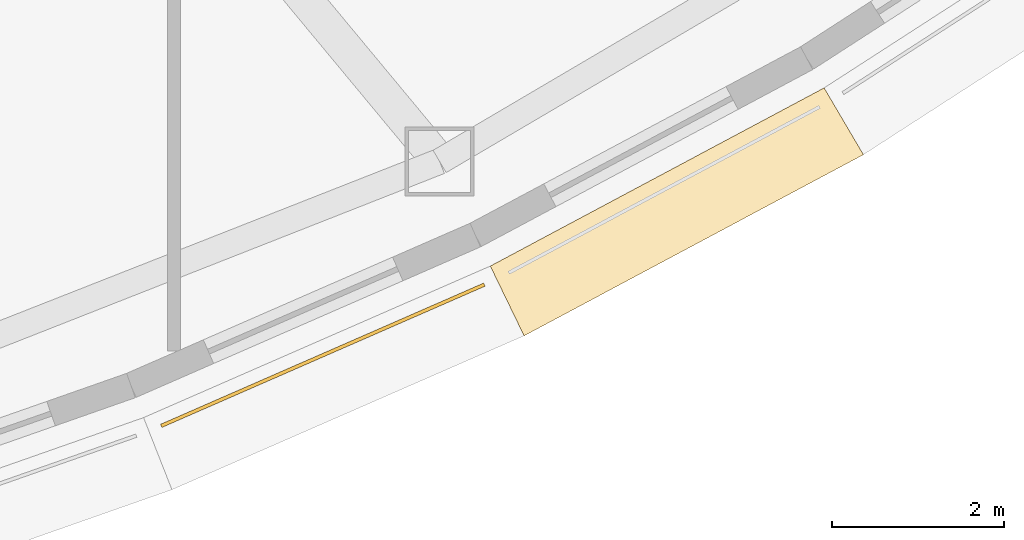
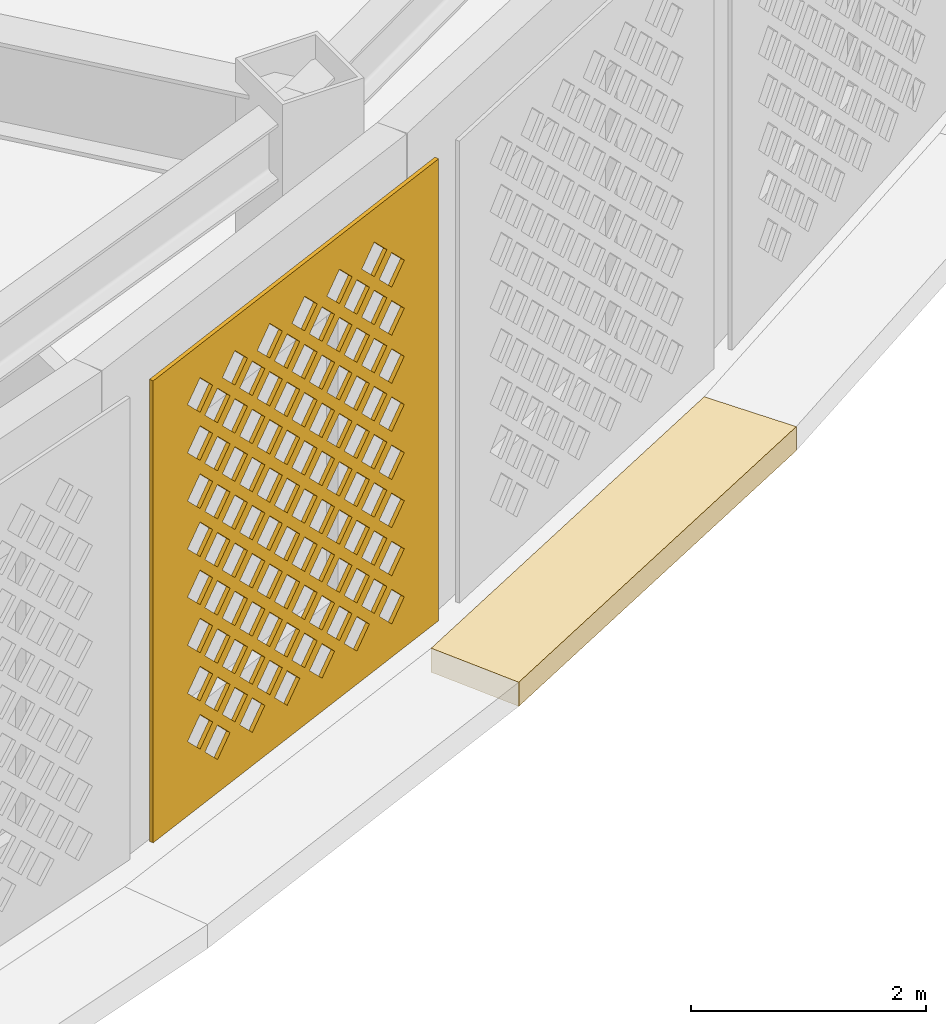
# One storey, part 58 of 69: 2 coverings.
"""IFC4 building model written with IfcOpenShell, lengths in metres."""

import ifcopenshell
import ifcopenshell.guid

model = None  # the IFC model being written
_history = None  # IfcOwnerHistory: only IFC2X3 demands one
_inside = {}  # id of a spatial element -> (the spatial element, [elements in it])
_under = {}  # id of a project, library or spatial element -> (it, [spatial elements below it])
_declared = {}  # id of a project -> (the project, [libraries it declares])
_typed = {}  # id of a type object -> (the type object, [elements of that type])
_made_of = {}  # id of a material, layer set ... -> (it, [elements and type objects made of it])


def new_model(schema):
    """Start an empty IFC model of exactly this schema.

    Asked for "IFC4X3", IfcOpenShell would pick the latest addendum, in which some entities
    have other attributes; the version numbers below select the first issue.
    IFC2X3 requires an IfcOwnerHistory on every rooted entity: one is made here for all.
    """
    global model, _history
    if schema == "IFC4X3":
        model = ifcopenshell.file(schema_version=(4, 3, 0, 0))
    else:
        model = ifcopenshell.file(schema=schema)
    _inside.clear()
    _under.clear()
    _declared.clear()
    _typed.clear()
    _made_of.clear()
    _history = None
    if model.schema == "IFC2X3":
        org = make("IfcOrganization", Name="unknown")
        user = make(
            "IfcPersonAndOrganization",
            ThePerson=make("IfcPerson", FamilyName="unknown"),
            TheOrganization=org,
        )
        app = make(
            "IfcApplication",
            ApplicationDeveloper=org,
            Version="unknown",
            ApplicationFullName="unknown",
            ApplicationIdentifier="unknown",
        )
        _history = make(
            "IfcOwnerHistory",
            OwningUser=user,
            OwningApplication=app,
            ChangeAction="ADDED",
            CreationDate=0,
        )
    return model


def make(cls, **values):
    """One entity of the class cls with the attributes given. An attribute that is None is left unset."""
    return model.create_entity(
        cls, **{name: value for name, value in values.items() if value is not None}
    )


def rooted(cls, **values):
    """An entity with a GlobalId (a new one), such as an element, a storey or a relation."""
    return make(cls, GlobalId=ifcopenshell.guid.new(), OwnerHistory=_history, **values)


def si_unit(unit_type, name, prefix=None):
    """IfcSIUnit, for example si_unit("LENGTHUNIT", "METRE", prefix="MILLI")."""
    return make("IfcSIUnit", UnitType=unit_type, Prefix=prefix, Name=name)


def assignment(units):
    """IfcUnitAssignment: the units of a project."""
    return None if units is None else make("IfcUnitAssignment", Units=units)


def point(xyz):
    """IfcCartesianPoint."""
    return None if xyz is None else make("IfcCartesianPoint", Coordinates=xyz)


def direction(xyz):
    """IfcDirection."""
    return None if xyz is None else make("IfcDirection", DirectionRatios=xyz)


def frame(location, z_axis=None, x_axis=None):
    """IfcAxis2Placement3D, a coordinate frame: its origin and axes. An axis left out is left unset."""
    return make(
        "IfcAxis2Placement3D",
        Location=point(location),
        Axis=direction(z_axis),
        RefDirection=direction(x_axis),
    )


def origin():
    """The frame at (0, 0, 0) with its axes left unset."""
    return frame((0.0, 0.0, 0.0))


def place(relative_to, where):
    """IfcLocalPlacement: puts the frame where relative to a parent placement (None: the world)."""
    return make(
        "IfcLocalPlacement", PlacementRelTo=relative_to, RelativePlacement=where
    )


def context(
    kind, dimensions, precision=None, world=None, true_north=None, identifier=None
):
    """IfcGeometricRepresentationContext, for example the 3D "Model" context."""
    return make(
        "IfcGeometricRepresentationContext",
        ContextIdentifier=identifier,
        ContextType=kind,
        CoordinateSpaceDimension=dimensions,
        Precision=precision,
        WorldCoordinateSystem=world,
        TrueNorth=true_north,
    )


def subcontext(parent, identifier, kind, view, scale=None):
    """IfcGeometricRepresentationSubContext, for example "Body" below "Model"."""
    return make(
        "IfcGeometricRepresentationSubContext",
        ContextIdentifier=identifier,
        ContextType=kind,
        ParentContext=parent,
        TargetScale=scale,
        TargetView=view,
    )


def project(units=None, contexts=None):
    """IfcProject with its units and contexts."""
    return rooted(
        "IfcProject",
        Name="project",
        RepresentationContexts=contexts,
        UnitsInContext=assignment(units),
    )


def spatial(cls, under=None, at=None, **own):
    """A site, building, storey or space (cls), placed at a placement, below another one or the project."""
    s = rooted(cls, ObjectPlacement=at, **own)
    if under is not None:
        _under.setdefault(under.id(), (under, []))[1].append(s)
    return s


def polyline(points):
    """IfcPolyline through the points."""
    return make("IfcPolyline", Points=[point(p) for p in points])


def outline(outer, holes=None, kind="AREA"):
    """IfcArbitraryClosedProfileDef: a profile drawn as a closed curve; with holes, ...WithVoids."""
    if holes is None:
        return make("IfcArbitraryClosedProfileDef", ProfileType=kind, OuterCurve=outer)
    return make(
        "IfcArbitraryProfileDefWithVoids",
        ProfileType=kind,
        OuterCurve=outer,
        InnerCurves=holes,
    )


def extrude(swept, where, along, depth):
    """IfcExtrudedAreaSolid: the profile swept, set in the frame where, extruded along a direction by depth."""
    return make(
        "IfcExtrudedAreaSolid",
        SweptArea=swept,
        Position=where,
        ExtrudedDirection=direction(along),
        Depth=depth,
    )


def shape(context_of_items, identifier, shape_type, items):
    """IfcShapeRepresentation: the items that make up one representation, for example the "Body"."""
    return make(
        "IfcShapeRepresentation",
        ContextOfItems=context_of_items,
        RepresentationIdentifier=identifier,
        RepresentationType=shape_type,
        Items=items,
    )


def material(Name=None, Category=None):
    """IfcMaterial."""
    return make("IfcMaterial", Name=Name, Category=Category)


def layer(
    of_material, thickness, ventilated=None, Name=None, Category=None, Priority=None
):
    """IfcMaterialLayer: one layer of a wall or slab, of a material (None: an air gap)."""
    return make(
        "IfcMaterialLayer",
        Material=of_material,
        LayerThickness=thickness,
        IsVentilated=ventilated,
        Name=Name,
        Category=Category,
        Priority=Priority,
    )


def layer_set(layers, Name=None):
    """IfcMaterialLayerSet."""
    return make("IfcMaterialLayerSet", MaterialLayers=layers, LayerSetName=Name)


def made_of(thing, what):
    """Note that an element or type object is made of a material, layer set ...; save() writes the relation."""
    if what is not None:
        _made_of.setdefault(what.id(), (what, []))[1].append(thing)
    return thing


def type_object(cls, material=None, **own):
    """A type object (cls), such as IfcWallType, which elements share."""
    return made_of(rooted(cls, **own), material)


def element(
    cls,
    number,
    at=None,
    inside=None,
    cuts=None,
    type_object=None,
    material=None,
    context=None,
    identifier="Body",
    shape_type=None,
    held_by="IfcProductDefinitionShape",
    body=None,
    shapes=None,
    **own,
):
    """One element of the class cls, such as IfcWall. Its Tag is "e" and its number.

    at: its placement. inside: the storey or other place that contains it. cuts: it is an
    opening in that element (IfcRelVoidsElement). A single representation is given by context,
    identifier, shape_type and body (its items); several are given by shapes. held_by: the class
    of the entity that holds the representations. save() writes the other relations.
    """
    e = rooted(cls, Tag="e%d" % number, ObjectPlacement=at, **own)
    if body is not None:
        shapes = [shape(context, identifier, shape_type, body)]
    if shapes is not None:
        e.Representation = make(held_by, Representations=shapes)
    if inside is not None:
        _inside.setdefault(inside.id(), (inside, []))[1].append(e)
    if cuts is not None:
        rooted(
            "IfcRelVoidsElement", RelatingBuildingElement=cuts, RelatedOpeningElement=e
        )
    if type_object is not None:
        _typed.setdefault(type_object.id(), (type_object, []))[1].append(e)
    return made_of(e, material)


def aggregate(whole, parts):
    """IfcRelAggregates: a whole, such as a stair, and the parts it consists of."""
    return rooted("IfcRelAggregates", RelatingObject=whole, RelatedObjects=parts)


def save(model, path):
    """Write the relations noted so far, then the file.

    IfcRelAggregates (storeys below a building ...), IfcRelContainedInSpatialStructure (elements
    in a storey), IfcRelDefinesByType, IfcRelAssociatesMaterial and IfcRelDeclares: one each for
    every whole, place, type object, material and project.
    """
    for whole, parts in _under.values():
        aggregate(whole, parts)
    for where, things in _inside.values():
        rooted(
            "IfcRelContainedInSpatialStructure",
            RelatedElements=things,
            RelatingStructure=where,
        )
    for kind, things in _typed.values():
        rooted("IfcRelDefinesByType", RelatedObjects=things, RelatingType=kind)
    for what, things in _made_of.values():
        rooted("IfcRelAssociatesMaterial", RelatedObjects=things, RelatingMaterial=what)
    for by, libraries in _declared.values():
        rooted("IfcRelDeclares", RelatingContext=by, RelatedDefinitions=libraries)
    model.write(path)


model = new_model("IFC4")

# Units and contexts
model_context = context("Model", 3, precision=1e-05, world=origin(), true_north=direction((0.0, 1.0)))
body_context = subcontext(model_context, "Body", "Model", "MODEL_VIEW")
ifc_project = project(units=[si_unit("LENGTHUNIT", "METRE"), si_unit("AREAUNIT", "SQUARE_METRE"), si_unit("VOLUMEUNIT", "CUBIC_METRE"), si_unit("PLANEANGLEUNIT", "RADIAN"), si_unit("MASSUNIT", "GRAM", prefix="KILO")], contexts=[model_context])

# Site, building, storey
site_placement = place(None, origin())
site = spatial("IfcSite", under=ifc_project, at=site_placement, CompositionType="ELEMENT")
building_placement = place(site_placement, origin())
building = spatial("IfcBuilding", under=site, at=building_placement, Name="Noorbagh Ring Tower", CompositionType="ELEMENT")
storey_placement = place(building_placement, frame((0.0, 0.0, 19.5)))
storey = spatial("IfcBuildingStorey", under=building, at=storey_placement, Name="L03", CompositionType="ELEMENT", Elevation=19.5)

# Coverings
ifc_material_1 = material(Name="Red sandstone eave", Category="masonry")
covering_type_1 = type_object("IfcCoveringType", Name="STY-CHHAJJA", PredefinedType="USERDEFINED", material=ifc_material_1)
covering_1_placement = place(storey_placement, frame((0.0, 0.0, -0.25)))
element("IfcCovering", 1, at=covering_1_placement, inside=storey, type_object=covering_type_1, Name="Chhajja eave", ObjectType="CHHAJJA", PredefinedType="USERDEFINED", context=body_context, shape_type="SweptSolid", body=[
    extrude(outline(polyline([(27.67578125, -33.864013671875), (31.5546875, -31.793701171875), (32.011474609375, -32.56982421875), (28.068603515625, -34.674560546875), (27.67578125, -33.864013671875)])), origin(), (0.0, 0.0, 1.0), 0.25),
])
ifc_material_2 = material(Name="Red sandstone jali", Category="masonry")
ifc_layer = layer(ifc_material_2, 0.0400390625)
ifc_layer_set = layer_set([ifc_layer], Name="Red sandstone jali")
covering_type_2 = type_object("IfcCoveringType", Name="STY-JALI", PredefinedType="USERDEFINED", material=ifc_layer_set)
covering_2_placement = place(storey_placement, frame((23.860595703125, -35.73876953125, 0.449951171875), z_axis=(0.400468668207, -0.916310452731, 0.0), x_axis=(0.916310452731, 0.400468668207, 0.0)))
element("IfcCovering", 2, at=covering_2_placement, inside=storey, type_object=covering_type_2, Name="Jali screen", ObjectType="SCREEN", PredefinedType="USERDEFINED", context=body_context, shape_type="SweptSolid", body=[
    extrude(outline(polyline([(0.0, 0.0), (4.0966796875, 0.0), (4.0966796875, 4.800048828125), (0.0, 4.800048828125), (0.0, 0.0)]), holes=[polyline([(0.743408203125, 0.52490234375), (0.92333984375, 0.344970703125), (1.103515625, 0.52490234375), (0.92333984375, 0.705078125), (0.743408203125, 0.52490234375)]), polyline([(1.243408203125, 0.52490234375), (1.42333984375, 0.344970703125), (1.603515625, 0.52490234375), (1.42333984375, 0.705078125), (1.243408203125, 0.52490234375)]), polyline([(1.743408203125, 0.52490234375), (1.92333984375, 0.344970703125), (2.103515625, 0.52490234375), (1.92333984375, 0.705078125), (1.743408203125, 0.52490234375)]), polyline([(2.243408203125, 0.52490234375), (2.42333984375, 0.344970703125), (2.603515625, 0.52490234375), (2.42333984375, 0.705078125), (2.243408203125, 0.52490234375)]), polyline([(2.743408203125, 0.52490234375), (2.92333984375, 0.344970703125), (3.103515625, 0.52490234375), (2.92333984375, 0.705078125), (2.743408203125, 0.52490234375)]), polyline([(3.243408203125, 0.52490234375), (3.42333984375, 0.344970703125), (3.603515625, 0.52490234375), (3.42333984375, 0.705078125), (3.243408203125, 0.52490234375)]), polyline([(0.493408203125, 0.77490234375), (0.67333984375, 0.594970703125), (0.853515625, 0.77490234375), (0.67333984375, 0.955078125), (0.493408203125, 0.77490234375)]), polyline([(0.993408203125, 0.77490234375), (1.17333984375, 0.594970703125), (1.353515625, 0.77490234375), (1.17333984375, 0.955078125), (0.993408203125, 0.77490234375)]), polyline([(1.493408203125, 0.77490234375), (1.67333984375, 0.594970703125), (1.853515625, 0.77490234375), (1.67333984375, 0.955078125), (1.493408203125, 0.77490234375)]), polyline([(1.993408203125, 0.77490234375), (2.17333984375, 0.594970703125), (2.353515625, 0.77490234375), (2.17333984375, 0.955078125), (1.993408203125, 0.77490234375)]), polyline([(2.493408203125, 0.77490234375), (2.67333984375, 0.594970703125), (2.853515625, 0.77490234375), (2.67333984375, 0.955078125), (2.493408203125, 0.77490234375)]), polyline([(2.993408203125, 0.77490234375), (3.17333984375, 0.594970703125), (3.353515625, 0.77490234375), (3.17333984375, 0.955078125), (2.993408203125, 0.77490234375)]), polyline([(0.743408203125, 1.02490234375), (0.92333984375, 0.844970703125), (1.103515625, 1.02490234375), (0.92333984375, 1.205078125), (0.743408203125, 1.02490234375)]), polyline([(1.243408203125, 1.02490234375), (1.42333984375, 0.844970703125), (1.603515625, 1.02490234375), (1.42333984375, 1.205078125), (1.243408203125, 1.02490234375)]), polyline([(1.743408203125, 1.02490234375), (1.92333984375, 0.844970703125), (2.103515625, 1.02490234375), (1.92333984375, 1.205078125), (1.743408203125, 1.02490234375)]), polyline([(2.243408203125, 1.02490234375), (2.42333984375, 0.844970703125), (2.603515625, 1.02490234375), (2.42333984375, 1.205078125), (2.243408203125, 1.02490234375)]), polyline([(2.743408203125, 1.02490234375), (2.92333984375, 0.844970703125), (3.103515625, 1.02490234375), (2.92333984375, 1.205078125), (2.743408203125, 1.02490234375)]), polyline([(3.243408203125, 1.02490234375), (3.42333984375, 0.844970703125), (3.603515625, 1.02490234375), (3.42333984375, 1.205078125), (3.243408203125, 1.02490234375)]), polyline([(0.493408203125, 1.27490234375), (0.67333984375, 1.094970703125), (0.853515625, 1.27490234375), (0.67333984375, 1.455078125), (0.493408203125, 1.27490234375)]), polyline([(0.993408203125, 1.27490234375), (1.17333984375, 1.094970703125), (1.353515625, 1.27490234375), (1.17333984375, 1.455078125), (0.993408203125, 1.27490234375)]), polyline([(1.493408203125, 1.27490234375), (1.67333984375, 1.094970703125), (1.853515625, 1.27490234375), (1.67333984375, 1.455078125), (1.493408203125, 1.27490234375)]), polyline([(1.993408203125, 1.27490234375), (2.17333984375, 1.094970703125), (2.353515625, 1.27490234375), (2.17333984375, 1.455078125), (1.993408203125, 1.27490234375)]), polyline([(2.493408203125, 1.27490234375), (2.67333984375, 1.094970703125), (2.853515625, 1.27490234375), (2.67333984375, 1.455078125), (2.493408203125, 1.27490234375)]), polyline([(2.993408203125, 1.27490234375), (3.17333984375, 1.094970703125), (3.353515625, 1.27490234375), (3.17333984375, 1.455078125), (2.993408203125, 1.27490234375)]), polyline([(0.743408203125, 1.52490234375), (0.92333984375, 1.344970703125), (1.103515625, 1.52490234375), (0.92333984375, 1.705078125), (0.743408203125, 1.52490234375)]), polyline([(1.243408203125, 1.52490234375), (1.42333984375, 1.344970703125), (1.603515625, 1.52490234375), (1.42333984375, 1.705078125), (1.243408203125, 1.52490234375)]), polyline([(1.743408203125, 1.52490234375), (1.92333984375, 1.344970703125), (2.103515625, 1.52490234375), (1.92333984375, 1.705078125), (1.743408203125, 1.52490234375)]), polyline([(2.243408203125, 1.52490234375), (2.42333984375, 1.344970703125), (2.603515625, 1.52490234375), (2.42333984375, 1.705078125), (2.243408203125, 1.52490234375)]), polyline([(2.743408203125, 1.52490234375), (2.92333984375, 1.344970703125), (3.103515625, 1.52490234375), (2.92333984375, 1.705078125), (2.743408203125, 1.52490234375)]), polyline([(3.243408203125, 1.52490234375), (3.42333984375, 1.344970703125), (3.603515625, 1.52490234375), (3.42333984375, 1.705078125), (3.243408203125, 1.52490234375)]), polyline([(0.493408203125, 1.77490234375), (0.67333984375, 1.594970703125), (0.853515625, 1.77490234375), (0.67333984375, 1.955078125), (0.493408203125, 1.77490234375)]), polyline([(0.993408203125, 1.77490234375), (1.17333984375, 1.594970703125), (1.353515625, 1.77490234375), (1.17333984375, 1.955078125), (0.993408203125, 1.77490234375)]), polyline([(1.493408203125, 1.77490234375), (1.67333984375, 1.594970703125), (1.853515625, 1.77490234375), (1.67333984375, 1.955078125), (1.493408203125, 1.77490234375)]), polyline([(1.993408203125, 1.77490234375), (2.17333984375, 1.594970703125), (2.353515625, 1.77490234375), (2.17333984375, 1.955078125), (1.993408203125, 1.77490234375)]), polyline([(2.493408203125, 1.77490234375), (2.67333984375, 1.594970703125), (2.853515625, 1.77490234375), (2.67333984375, 1.955078125), (2.493408203125, 1.77490234375)]), polyline([(2.993408203125, 1.77490234375), (3.17333984375, 1.594970703125), (3.353515625, 1.77490234375), (3.17333984375, 1.955078125), (2.993408203125, 1.77490234375)]), polyline([(0.743408203125, 2.02490234375), (0.92333984375, 1.844970703125), (1.103515625, 2.02490234375), (0.92333984375, 2.205078125), (0.743408203125, 2.02490234375)]), polyline([(1.243408203125, 2.02490234375), (1.42333984375, 1.844970703125), (1.603515625, 2.02490234375), (1.42333984375, 2.205078125), (1.243408203125, 2.02490234375)]), polyline([(1.743408203125, 2.02490234375), (1.92333984375, 1.844970703125), (2.103515625, 2.02490234375), (1.92333984375, 2.205078125), (1.743408203125, 2.02490234375)]), polyline([(2.243408203125, 2.02490234375), (2.42333984375, 1.844970703125), (2.603515625, 2.02490234375), (2.42333984375, 2.205078125), (2.243408203125, 2.02490234375)]), polyline([(2.743408203125, 2.02490234375), (2.92333984375, 1.844970703125), (3.103515625, 2.02490234375), (2.92333984375, 2.205078125), (2.743408203125, 2.02490234375)]), polyline([(3.243408203125, 2.02490234375), (3.42333984375, 1.844970703125), (3.603515625, 2.02490234375), (3.42333984375, 2.205078125), (3.243408203125, 2.02490234375)]), polyline([(0.493408203125, 2.27490234375), (0.67333984375, 2.094970703125), (0.853515625, 2.27490234375), (0.67333984375, 2.455078125), (0.493408203125, 2.27490234375)]), polyline([(0.993408203125, 2.27490234375), (1.17333984375, 2.094970703125), (1.353515625, 2.27490234375), (1.17333984375, 2.455078125), (0.993408203125, 2.27490234375)]), polyline([(1.493408203125, 2.27490234375), (1.67333984375, 2.094970703125), (1.853515625, 2.27490234375), (1.67333984375, 2.455078125), (1.493408203125, 2.27490234375)]), polyline([(1.993408203125, 2.27490234375), (2.17333984375, 2.094970703125), (2.353515625, 2.27490234375), (2.17333984375, 2.455078125), (1.993408203125, 2.27490234375)]), polyline([(2.493408203125, 2.27490234375), (2.67333984375, 2.094970703125), (2.853515625, 2.27490234375), (2.67333984375, 2.455078125), (2.493408203125, 2.27490234375)]), polyline([(2.993408203125, 2.27490234375), (3.17333984375, 2.094970703125), (3.353515625, 2.27490234375), (3.17333984375, 2.455078125), (2.993408203125, 2.27490234375)]), polyline([(0.743408203125, 2.52490234375), (0.92333984375, 2.344970703125), (1.103515625, 2.52490234375), (0.92333984375, 2.705078125), (0.743408203125, 2.52490234375)]), polyline([(1.243408203125, 2.52490234375), (1.42333984375, 2.344970703125), (1.603515625, 2.52490234375), (1.42333984375, 2.705078125), (1.243408203125, 2.52490234375)]), polyline([(1.743408203125, 2.52490234375), (1.92333984375, 2.344970703125), (2.103515625, 2.52490234375), (1.92333984375, 2.705078125), (1.743408203125, 2.52490234375)]), polyline([(2.243408203125, 2.52490234375), (2.42333984375, 2.344970703125), (2.603515625, 2.52490234375), (2.42333984375, 2.705078125), (2.243408203125, 2.52490234375)]), polyline([(2.743408203125, 2.52490234375), (2.92333984375, 2.344970703125), (3.103515625, 2.52490234375), (2.92333984375, 2.705078125), (2.743408203125, 2.52490234375)]), polyline([(3.243408203125, 2.52490234375), (3.42333984375, 2.344970703125), (3.603515625, 2.52490234375), (3.42333984375, 2.705078125), (3.243408203125, 2.52490234375)]), polyline([(0.493408203125, 2.77490234375), (0.67333984375, 2.594970703125), (0.853515625, 2.77490234375), (0.67333984375, 2.955078125), (0.493408203125, 2.77490234375)]), polyline([(0.993408203125, 2.77490234375), (1.17333984375, 2.594970703125), (1.353515625, 2.77490234375), (1.17333984375, 2.955078125), (0.993408203125, 2.77490234375)]), polyline([(1.493408203125, 2.77490234375), (1.67333984375, 2.594970703125), (1.853515625, 2.77490234375), (1.67333984375, 2.955078125), (1.493408203125, 2.77490234375)]), polyline([(1.993408203125, 2.77490234375), (2.17333984375, 2.594970703125), (2.353515625, 2.77490234375), (2.17333984375, 2.955078125), (1.993408203125, 2.77490234375)]), polyline([(2.493408203125, 2.77490234375), (2.67333984375, 2.594970703125), (2.853515625, 2.77490234375), (2.67333984375, 2.955078125), (2.493408203125, 2.77490234375)]), polyline([(2.993408203125, 2.77490234375), (3.17333984375, 2.594970703125), (3.353515625, 2.77490234375), (3.17333984375, 2.955078125), (2.993408203125, 2.77490234375)]), polyline([(0.743408203125, 3.02490234375), (0.92333984375, 2.844970703125), (1.103515625, 3.02490234375), (0.92333984375, 3.205078125), (0.743408203125, 3.02490234375)]), polyline([(1.243408203125, 3.02490234375), (1.42333984375, 2.844970703125), (1.603515625, 3.02490234375), (1.42333984375, 3.205078125), (1.243408203125, 3.02490234375)]), polyline([(1.743408203125, 3.02490234375), (1.92333984375, 2.844970703125), (2.103515625, 3.02490234375), (1.92333984375, 3.205078125), (1.743408203125, 3.02490234375)]), polyline([(2.243408203125, 3.02490234375), (2.42333984375, 2.844970703125), (2.603515625, 3.02490234375), (2.42333984375, 3.205078125), (2.243408203125, 3.02490234375)]), polyline([(2.743408203125, 3.02490234375), (2.92333984375, 2.844970703125), (3.103515625, 3.02490234375), (2.92333984375, 3.205078125), (2.743408203125, 3.02490234375)]), polyline([(3.243408203125, 3.02490234375), (3.42333984375, 2.844970703125), (3.603515625, 3.02490234375), (3.42333984375, 3.205078125), (3.243408203125, 3.02490234375)]), polyline([(0.493408203125, 3.27490234375), (0.67333984375, 3.094970703125), (0.853515625, 3.27490234375), (0.67333984375, 3.455078125), (0.493408203125, 3.27490234375)]), polyline([(0.993408203125, 3.27490234375), (1.17333984375, 3.094970703125), (1.353515625, 3.27490234375), (1.17333984375, 3.455078125), (0.993408203125, 3.27490234375)]), polyline([(1.493408203125, 3.27490234375), (1.67333984375, 3.094970703125), (1.853515625, 3.27490234375), (1.67333984375, 3.455078125), (1.493408203125, 3.27490234375)]), polyline([(1.993408203125, 3.27490234375), (2.17333984375, 3.094970703125), (2.353515625, 3.27490234375), (2.17333984375, 3.455078125), (1.993408203125, 3.27490234375)]), polyline([(2.493408203125, 3.27490234375), (2.67333984375, 3.094970703125), (2.853515625, 3.27490234375), (2.67333984375, 3.455078125), (2.493408203125, 3.27490234375)]), polyline([(2.993408203125, 3.27490234375), (3.17333984375, 3.094970703125), (3.353515625, 3.27490234375), (3.17333984375, 3.455078125), (2.993408203125, 3.27490234375)]), polyline([(0.743408203125, 3.52490234375), (0.92333984375, 3.344970703125), (1.103515625, 3.52490234375), (0.92333984375, 3.705078125), (0.743408203125, 3.52490234375)]), polyline([(1.243408203125, 3.52490234375), (1.42333984375, 3.344970703125), (1.603515625, 3.52490234375), (1.42333984375, 3.705078125), (1.243408203125, 3.52490234375)]), polyline([(1.743408203125, 3.52490234375), (1.92333984375, 3.344970703125), (2.103515625, 3.52490234375), (1.92333984375, 3.705078125), (1.743408203125, 3.52490234375)]), polyline([(2.243408203125, 3.52490234375), (2.42333984375, 3.344970703125), (2.603515625, 3.52490234375), (2.42333984375, 3.705078125), (2.243408203125, 3.52490234375)]), polyline([(2.743408203125, 3.52490234375), (2.92333984375, 3.344970703125), (3.103515625, 3.52490234375), (2.92333984375, 3.705078125), (2.743408203125, 3.52490234375)]), polyline([(3.243408203125, 3.52490234375), (3.42333984375, 3.344970703125), (3.603515625, 3.52490234375), (3.42333984375, 3.705078125), (3.243408203125, 3.52490234375)]), polyline([(0.493408203125, 3.77490234375), (0.67333984375, 3.594970703125), (0.853515625, 3.77490234375), (0.67333984375, 3.955078125), (0.493408203125, 3.77490234375)]), polyline([(0.993408203125, 3.77490234375), (1.17333984375, 3.594970703125), (1.353515625, 3.77490234375), (1.17333984375, 3.955078125), (0.993408203125, 3.77490234375)]), polyline([(1.493408203125, 3.77490234375), (1.67333984375, 3.594970703125), (1.853515625, 3.77490234375), (1.67333984375, 3.955078125), (1.493408203125, 3.77490234375)]), polyline([(1.993408203125, 3.77490234375), (2.17333984375, 3.594970703125), (2.353515625, 3.77490234375), (2.17333984375, 3.955078125), (1.993408203125, 3.77490234375)]), polyline([(2.493408203125, 3.77490234375), (2.67333984375, 3.594970703125), (2.853515625, 3.77490234375), (2.67333984375, 3.955078125), (2.493408203125, 3.77490234375)]), polyline([(2.993408203125, 3.77490234375), (3.17333984375, 3.594970703125), (3.353515625, 3.77490234375), (3.17333984375, 3.955078125), (2.993408203125, 3.77490234375)]), polyline([(0.743408203125, 4.02490234375), (0.92333984375, 3.844970703125), (1.103515625, 4.02490234375), (0.92333984375, 4.205078125), (0.743408203125, 4.02490234375)]), polyline([(1.243408203125, 4.02490234375), (1.42333984375, 3.844970703125), (1.603515625, 4.02490234375), (1.42333984375, 4.205078125), (1.243408203125, 4.02490234375)]), polyline([(1.743408203125, 4.02490234375), (1.92333984375, 3.844970703125), (2.103515625, 4.02490234375), (1.92333984375, 4.205078125), (1.743408203125, 4.02490234375)]), polyline([(2.243408203125, 4.02490234375), (2.42333984375, 3.844970703125), (2.603515625, 4.02490234375), (2.42333984375, 4.205078125), (2.243408203125, 4.02490234375)]), polyline([(2.743408203125, 4.02490234375), (2.92333984375, 3.844970703125), (3.103515625, 4.02490234375), (2.92333984375, 4.205078125), (2.743408203125, 4.02490234375)]), polyline([(3.243408203125, 4.02490234375), (3.42333984375, 3.844970703125), (3.603515625, 4.02490234375), (3.42333984375, 4.205078125), (3.243408203125, 4.02490234375)]), polyline([(0.493408203125, 4.27490234375), (0.67333984375, 4.094970703125), (0.853515625, 4.27490234375), (0.67333984375, 4.455078125), (0.493408203125, 4.27490234375)]), polyline([(0.993408203125, 4.27490234375), (1.17333984375, 4.094970703125), (1.353515625, 4.27490234375), (1.17333984375, 4.455078125), (0.993408203125, 4.27490234375)]), polyline([(1.493408203125, 4.27490234375), (1.67333984375, 4.094970703125), (1.853515625, 4.27490234375), (1.67333984375, 4.455078125), (1.493408203125, 4.27490234375)]), polyline([(1.993408203125, 4.27490234375), (2.17333984375, 4.094970703125), (2.353515625, 4.27490234375), (2.17333984375, 4.455078125), (1.993408203125, 4.27490234375)]), polyline([(2.493408203125, 4.27490234375), (2.67333984375, 4.094970703125), (2.853515625, 4.27490234375), (2.67333984375, 4.455078125), (2.493408203125, 4.27490234375)]), polyline([(2.993408203125, 4.27490234375), (3.17333984375, 4.094970703125), (3.353515625, 4.27490234375), (3.17333984375, 4.455078125), (2.993408203125, 4.27490234375)])]), origin(), (0.0, 0.0, -1.0), 0.0400390625),
])

save(model, "model.ifc")
